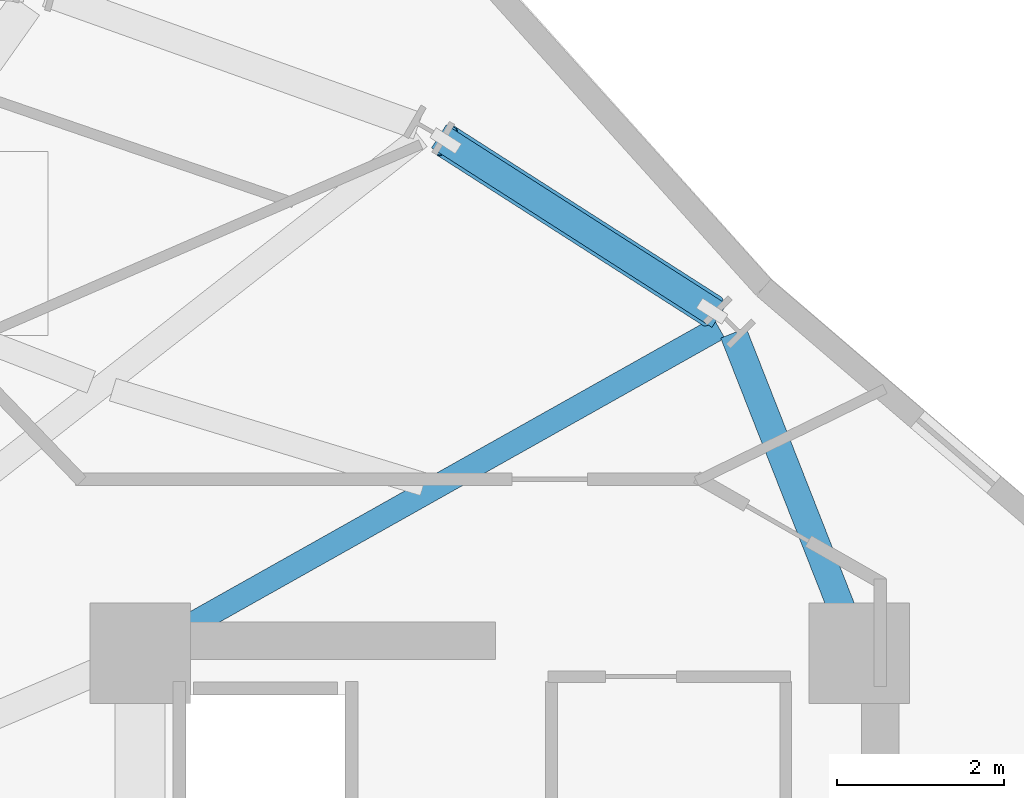
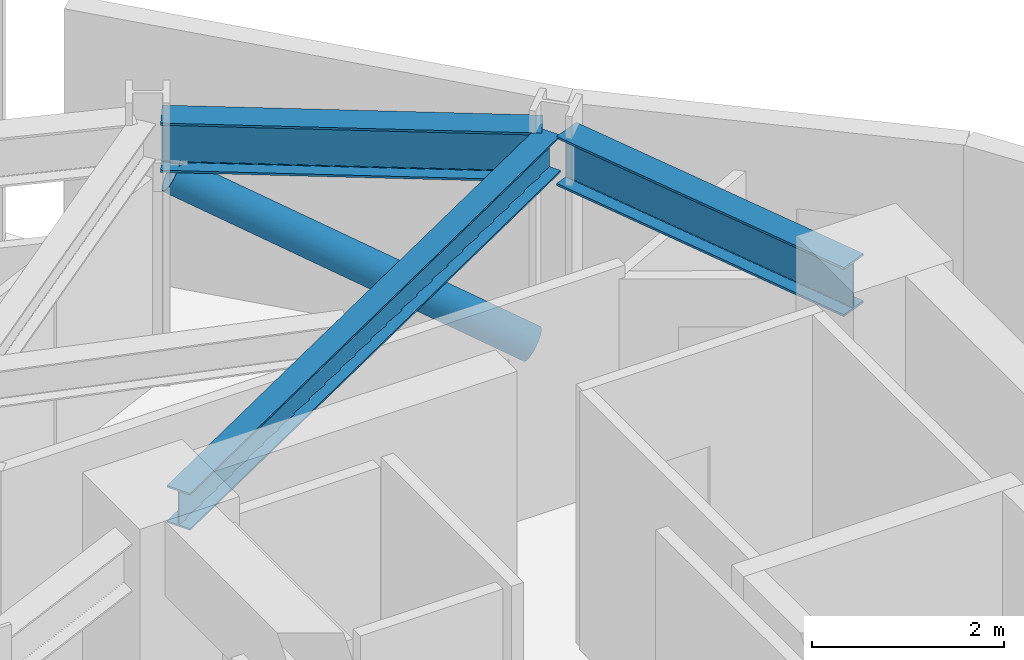
# One storey, part 7 of 19: 3 beams, 1 member.
"""IFC4 building model written with IfcOpenShell, lengths in metres."""

from ifc_helpers import new_model, si_unit, direction, frame, origin, origin_2d, place, context, subcontext, project, spatial, hollow_circle, i_section, extrude, material, material_profile, profile_set, type_object, element, save


model = new_model("IFC4")

# Units and contexts
model_context = context("Model", 3, precision=1e-05, world=origin(), true_north=direction((0.0, 1.0)))
body_context = subcontext(model_context, "Body", "Model", "MODEL_VIEW")
ifc_project = project(units=[si_unit("LENGTHUNIT", "METRE"), si_unit("AREAUNIT", "SQUARE_METRE"), si_unit("VOLUMEUNIT", "CUBIC_METRE"), si_unit("PLANEANGLEUNIT", "RADIAN"), si_unit("MASSUNIT", "GRAM", prefix="KILO")], contexts=[model_context])

# Site, building, storey
site_placement = place(None, origin())
site = spatial("IfcSite", under=ifc_project, at=site_placement, CompositionType="ELEMENT")
building_placement = place(site_placement, origin())
building = spatial("IfcBuilding", under=site, at=building_placement, Name="Solvane Sanctuary Tower", CompositionType="ELEMENT")
storey_placement = place(building_placement, frame((0.0, 0.0, 242.39990234375)))
storey = spatial("IfcBuildingStorey", under=building, at=storey_placement, Name="L74", CompositionType="ELEMENT", Elevation=242.39990234375)

# Beams
ifc_material = material(Name="Steel ASTM A992 Grade 50", Category="steel")
ifc_material_profile_1 = material_profile(ifc_material, i_section(OverallWidth=0.282958984375, OverallDepth=0.471923828125, WebThickness=0.013671875, FlangeThickness=0.022216796875, FilletRadius=0.013916015625, at=origin_2d()), Name="W18X97")
ifc_profile_set_1 = profile_set([ifc_material_profile_1], Name="Steel ASTM A992 Grade 50")
beam_type_1 = type_object("IfcBeamType", Name="Beam B-RAD-Z4 W18X97", PredefinedType="JOIST", material=ifc_profile_set_1)
beam_1_placement = place(storey_placement, frame((40.413818359375, 30.37646484375, 3.08203125), z_axis=(0.87176037811, 0.489932488367, 0.0), x_axis=(-0.489932488367, 0.87176037811, 0.0)))
element("IfcBeam", 1, at=beam_1_placement, inside=storey, type_object=beam_type_1, Name="L74 Radial Composite Floor Beam 01", PredefinedType="JOIST", context=body_context, shape_type="SweptSolid", body=[
    extrude(i_section(OverallWidth=0.282958984375, OverallDepth=0.471923828125, WebThickness=0.013671875, FlangeThickness=0.022216796875, FilletRadius=0.013916015625, at=origin_2d()), origin(), (0.0, 0.0, 1.0), 7.581298828125),
])
ifc_material_profile_2 = material_profile(ifc_material, i_section(OverallWidth=0.327880859375, OverallDepth=0.6279296875, WebThickness=0.0166015625, FlangeThickness=0.027587890625, FilletRadius=0.01611328125, at=origin_2d()), Name="W24X146")
ifc_profile_set_2 = profile_set([ifc_material_profile_2], Name="Steel ASTM A992 Grade 50")
beam_type_2 = type_object("IfcBeamType", Name="Beam B-SPAND-Z3 W24X146", PredefinedType="SPANDREL", material=ifc_profile_set_2)
beam_2_placement = place(storey_placement, frame((43.673095703125, 36.381591796875, 3.004150390625), z_axis=(0.842252471835, -0.539083271571, 0.0), x_axis=(0.539083271571, 0.842252471835, 0.0)))
element("IfcBeam", 2, at=beam_2_placement, inside=storey, type_object=beam_type_2, Name="L74 Perimeter Spandrel Beam TC02-TC01", PredefinedType="SPANDREL", context=body_context, shape_type="SweptSolid", body=[
    extrude(i_section(OverallWidth=0.327880859375, OverallDepth=0.6279296875, WebThickness=0.0166015625, FlangeThickness=0.027587890625, FilletRadius=0.01611328125, at=origin_2d()), origin(), (0.0, 0.0, 1.0), 3.982177734375),
])
beam_3_placement = place(storey_placement, frame((47.196044921875, 34.029052734375, 3.004150390625), z_axis=(0.365597204344, -0.930773164727, 0.0), x_axis=(0.930773164727, 0.365597204344, 0.0)))
element("IfcBeam", 3, at=beam_3_placement, inside=storey, type_object=beam_type_2, Name="L74 Perimeter Spandrel Beam TC01-CE3", PredefinedType="SPANDREL", context=body_context, shape_type="SweptSolid", body=[
    extrude(i_section(OverallWidth=0.327880859375, OverallDepth=0.6279296875, WebThickness=0.0166015625, FlangeThickness=0.027587890625, FilletRadius=0.01611328125, at=origin_2d()), origin(), (0.0, 0.0, 1.0), 3.833740234375),
])

# Member
ifc_material_profile_3 = material_profile(ifc_material, hollow_circle(Radius=0.202880859375, WallThickness=0.012451171875, at=origin_2d()), Name="CHS406X12.5")
ifc_profile_set_3 = profile_set([ifc_material_profile_3], Name="Steel ASTM A992 Grade 50")
member_type = type_object("IfcMemberType", Name="Member M-TUBE-Z3 CHS406X12.5", PredefinedType="BRACE", material=ifc_profile_set_3)
member_placement = place(storey_placement, frame((46.93701171875, 34.29248046875, 0.513916015625), z_axis=(-0.740496381553, 0.473965461824, 0.476468099567), x_axis=(-0.539092247698, -0.842246726602, 0.0)))
element("IfcMember", 4, at=member_placement, inside=storey, type_object=member_type, Name="L74 Perimeter Braced-Tube Diagonal NE", PredefinedType="BRACE", context=body_context, shape_type="SweptSolid", body=[
    extrude(hollow_circle(Radius=0.202880859375, WallThickness=0.012451171875, at=origin_2d()), origin(), (0.0, 0.0, 1.0), 4.292236328125),
])

save(model, "model.ifc")
